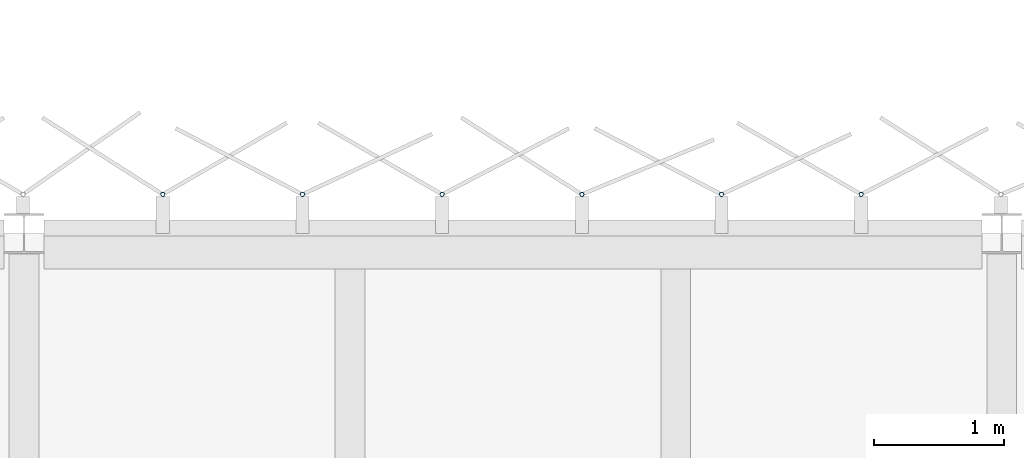
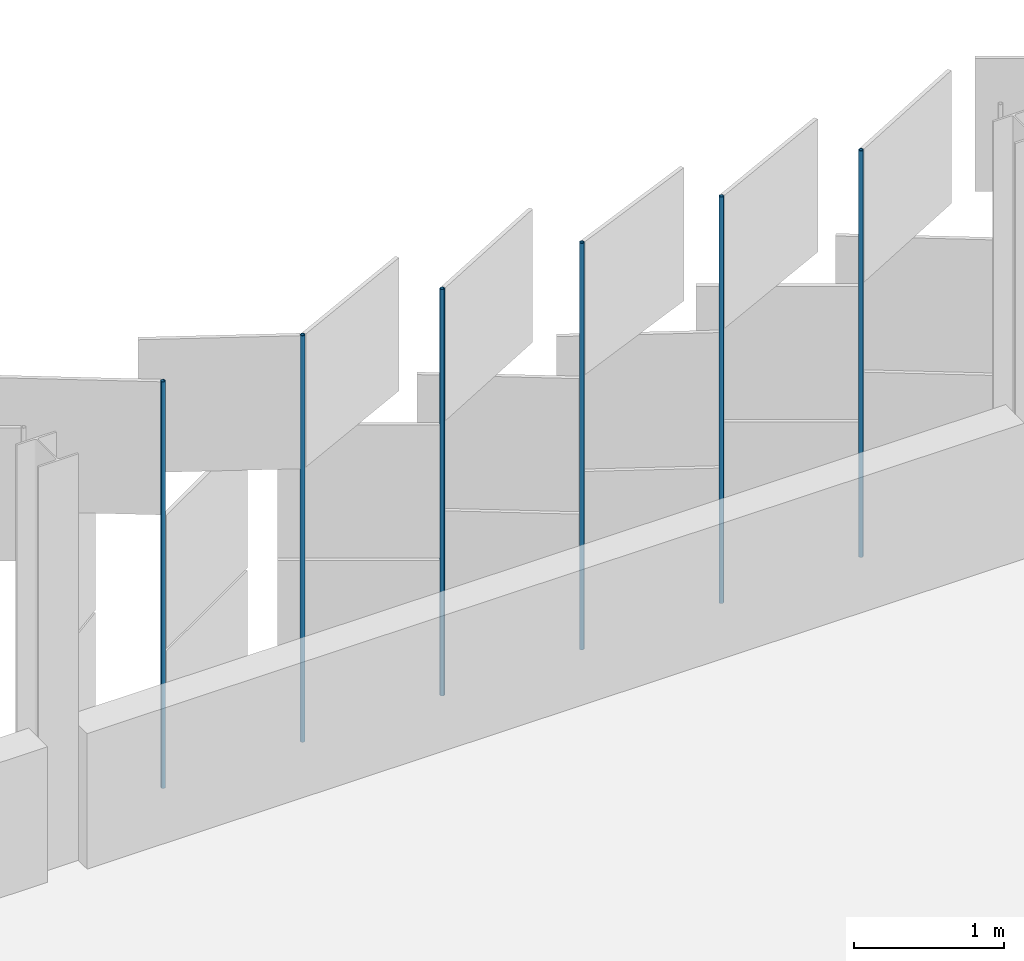
# One storey, part 145 of 198: 6 discrete accessories.
"""IFC4 building model written with IfcOpenShell, lengths in metres."""

from ifc_helpers import new_model, si_unit, direction, frame, origin, origin_2d, place, context, subcontext, project, spatial, hollow_circle, extrude, material, material_profile, profile_set, type_object, element, save


model = new_model("IFC4")

# Units and contexts
model_context = context("Model", 3, precision=1e-05, world=origin(), true_north=direction((0.0, 1.0)))
body_context = subcontext(model_context, "Body", "Model", "MODEL_VIEW")
ifc_project = project(units=[si_unit("LENGTHUNIT", "METRE"), si_unit("AREAUNIT", "SQUARE_METRE"), si_unit("VOLUMEUNIT", "CUBIC_METRE"), si_unit("PLANEANGLEUNIT", "RADIAN"), si_unit("MASSUNIT", "GRAM", prefix="KILO")], contexts=[model_context])

# Site, building, storey
site_placement = place(None, origin())
site = spatial("IfcSite", under=ifc_project, at=site_placement, CompositionType="ELEMENT")
building_placement = place(site_placement, origin())
building = spatial("IfcBuilding", under=site, at=building_placement, Name="Parallax Yard Mobility Hub", CompositionType="ELEMENT")
storey_placement = place(building_placement, frame((0.0, 0.0, 6.60009765625)))
storey = spatial("IfcBuildingStorey", under=building, at=storey_placement, Name="L02", CompositionType="ELEMENT", Elevation=6.60009765625)

# Discrete accessories
ifc_material = material(Name="Steel ASTM A500 Gr C, hot-dip galvanised", Category="steel")
ifc_material_profile = material_profile(ifc_material, hollow_circle(Radius=0.016845703125, WallThickness=0.003173828125, at=origin_2d()), Name="CHS 33.7x3.2")
ifc_profile_set = profile_set([ifc_material_profile], Name="Steel ASTM A500 Gr C, hot-dip galvanised")
discrete_accessory_type = type_object("IfcDiscreteAccessoryType", Name="Hinge post CHS 33.7x3.2", PredefinedType="BRACKET", material=ifc_profile_set)
for number, where, z_axis, x_axis, name in (
    (1, (103.92236328125, 142.800048828125, 0.0), (0.0, 0.0, 1.0), (1.0, 0.0, 0.0), "Hinge post bay 60.2 level L02"),
    (2, (102.850830078125, 142.800048828125, 0.0), (0.0, 0.0, 1.0), (1.0, 0.0, 0.0), "Hinge post bay 60.3 level L02"),
    (3, (101.779296875, 142.800048828125, 0.0), (0.0, 0.0, 1.0), (1.0, 0.0, 0.0), "Hinge post bay 60.4 level L02"),
    (4, (100.707763671875, 142.800048828125, 0.0), (0.0, 0.0, 1.0), (1.0, 0.0, 0.0), "Hinge post bay 60.5 level L02"),
    (5, (99.635986328125, 142.800048828125, 0.0), (0.0, 0.0, 1.0), (1.0, 0.0, 0.0), "Hinge post bay 60.6 level L02"),
    (6, (98.564453125, 142.800048828125, 0.0), (0.0, 0.0, 1.0), (1.0, 0.0, 0.0), "Hinge post bay 60.7 level L02"),
):
    element("IfcDiscreteAccessory", number, at=place(storey_placement, frame(where, z_axis=z_axis, x_axis=x_axis)), inside=storey, type_object=discrete_accessory_type, Name=name, PredefinedType="BRACKET", context=body_context, shape_type="SweptSolid", body=[
        extrude(hollow_circle(Radius=0.016845703125, WallThickness=0.003173828125, at=origin_2d()), origin(), (0.0, 0.0, 1.0), 3.2998046875),
    ])

save(model, "model.ifc")
